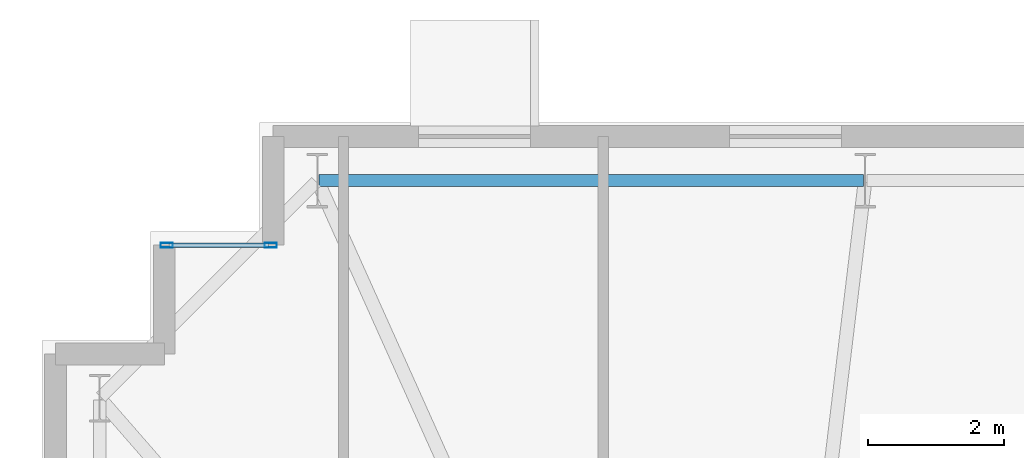
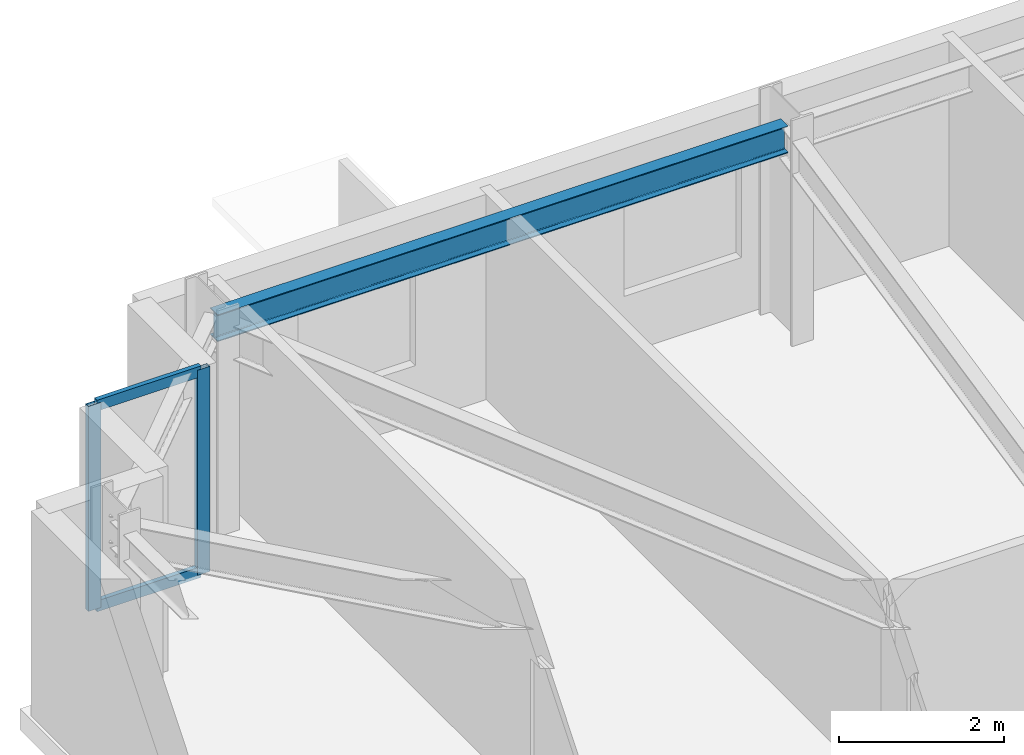
# One storey, part 7 of 18: 4 members, 1 beam, 1 element without a shape of its own.
"""IFC4 building model written with IfcOpenShell, lengths in metres."""

from ifc_helpers import new_model, si_unit, direction, frame, origin, origin_2d, place, context, subcontext, project, spatial, hollow_rectangle, i_section, extrude, material, layer, layer_set, material_profile, profile_set, type_object, element, aggregate, save


model = new_model("IFC4")

# Units and contexts
model_context = context("Model", 3, precision=1e-05, world=origin(), true_north=direction((0.0, 1.0)))
body_context = subcontext(model_context, "Body", "Model", "MODEL_VIEW")
ifc_project = project(units=[si_unit("LENGTHUNIT", "METRE"), si_unit("AREAUNIT", "SQUARE_METRE"), si_unit("VOLUMEUNIT", "CUBIC_METRE"), si_unit("PLANEANGLEUNIT", "RADIAN"), si_unit("MASSUNIT", "GRAM", prefix="KILO")], contexts=[model_context])

# Site, building, storey
site_placement = place(None, origin())
site = spatial("IfcSite", under=ifc_project, at=site_placement, CompositionType="ELEMENT")
building_placement = place(site_placement, origin())
building = spatial("IfcBuilding", under=site, at=building_placement, Name="Qobustan Lattice House", CompositionType="ELEMENT")
storey_placement = place(building_placement, frame((0.0, 0.0, 134.35009765625)))
storey = spatial("IfcBuildingStorey", under=building, at=storey_placement, Name="L37", CompositionType="ELEMENT", Elevation=134.35009765625)

# Beam
ifc_material_1 = material(Name="Steel S355", Category="steel")
ifc_material_profile_1 = material_profile(ifc_material_1, i_section(OverallWidth=0.179931640625, OverallDepth=0.39990234375, WebThickness=0.008544921875, FlangeThickness=0.013427734375, FilletRadius=0.02099609375, at=origin_2d()), Name="IPE400")
ifc_profile_set_1 = profile_set([ifc_material_profile_1], Name="Steel S355")
beam_type = type_object("IfcBeamType", Name="BM-SPD-IPE400", PredefinedType="SPANDREL", material=ifc_profile_set_1)
beam_placement = place(storey_placement, frame((-17.125, 19.75, 2.83984375), z_axis=(-1.0, 0.0, 0.0), x_axis=(0.0, -1.0, 0.0)))
element("IfcBeam", 1, at=beam_placement, inside=storey, type_object=beam_type, Name="L37 perimeter spandrel N6-N7", PredefinedType="SPANDREL", context=body_context, shape_type="SweptSolid", body=[
    extrude(i_section(OverallWidth=0.179931640625, OverallDepth=0.39990234375, WebThickness=0.008544921875, FlangeThickness=0.013427734375, FilletRadius=0.02099609375, at=origin_2d()), origin(), (0.0, 0.0, 1.0), 8.0),
])

# Curtain wall, members
ifc_material_2 = material(Name="Anodised aluminium and low-E glazing", Category="aluminium")
ifc_layer = layer(ifc_material_2, 0.219970703125)
ifc_layer_set = layer_set([ifc_layer], Name="Anodised aluminium and low-E glazing")
curtain_wall_type = type_object("IfcCurtainWallType", Name="CW-FAC-02", PredefinedType="USERDEFINED", material=ifc_layer_set)
curtain_wall_placement = place(storey_placement, origin())
curtain_wall = element("IfcCurtainWall", 2, at=curtain_wall_placement, inside=storey, type_object=curtain_wall_type, Name="L37 serrated corner faceted glazing 8", ObjectType="CURTAIN WALL", PredefinedType="USERDEFINED")
ifc_material_3 = material(Name="Anodised aluminium EN AW-6063 T6", Category="aluminium")
ifc_material_profile_2 = material_profile(ifc_material_3, hollow_rectangle(XDim=0.070068359375, YDim=0.179931640625, WallThickness=0.00439453125, at=origin_2d()), Name="CWM-180x70")
ifc_profile_set_2 = profile_set([ifc_material_profile_2], Name="Anodised aluminium EN AW-6063 T6")
member_type_1 = type_object("IfcMemberType", Name="CWM-STD-180", PredefinedType="MULLION", material=ifc_profile_set_2)
member_1_placement = place(storey_placement, frame((-27.364990234375, 18.800048828125, 0.0), z_axis=(0.0, 0.0, 1.0), x_axis=(0.0, 1.0, 0.0)))
member_1 = element("IfcMember", 3, at=member_1_placement, type_object=member_type_1, Name="CW-F2 mullion 1", PredefinedType="MULLION", context=body_context, shape_type="SweptSolid", body=[
    extrude(hollow_rectangle(XDim=0.070068359375, YDim=0.179931640625, WallThickness=0.00439453125, at=origin_2d()), origin(), (0.0, 0.0, 1.0), 3.039794921875),
])
member_2_placement = place(storey_placement, frame((-25.8349609375, 18.800048828125, 0.0), z_axis=(0.0, 0.0, 1.0), x_axis=(0.0, 1.0, 0.0)))
member_2 = element("IfcMember", 4, at=member_2_placement, type_object=member_type_1, Name="CW-F2 mullion 2", PredefinedType="MULLION", context=body_context, shape_type="SweptSolid", body=[
    extrude(hollow_rectangle(XDim=0.070068359375, YDim=0.179931640625, WallThickness=0.00439453125, at=origin_2d()), origin(), (0.0, 0.0, 1.0), 3.039794921875),
])
ifc_material_4 = material(Name="Anodised aluminium EN AW-6063 T6", Category="aluminium")
ifc_material_profile_3 = material_profile(ifc_material_4, hollow_rectangle(XDim=0.06494140625, YDim=0.159912109375, WallThickness=0.00390625, at=origin_2d()), Name="CWT-160x65")
ifc_profile_set_3 = profile_set([ifc_material_profile_3], Name="Anodised aluminium EN AW-6063 T6")
member_type_2 = type_object("IfcMemberType", Name="CWT-HOR-160", PredefinedType="USERDEFINED", material=ifc_profile_set_3)
member_3_placement = place(storey_placement, frame((-27.330078125, 18.800048828125, 0.032470703125), z_axis=(1.0, 0.0, 0.0), x_axis=(0.0, 1.0, 0.0)))
member_3 = element("IfcMember", 5, at=member_3_placement, type_object=member_type_2, Name="CW-F2 transom 1.1", ObjectType="TRANSOM", PredefinedType="USERDEFINED", context=body_context, shape_type="SweptSolid", body=[
    extrude(hollow_rectangle(XDim=0.06494140625, YDim=0.159912109375, WallThickness=0.00390625, at=origin_2d()), origin(), (0.0, 0.0, 1.0), 1.4599609375),
])
member_4_placement = place(storey_placement, frame((-27.330078125, 18.800048828125, 3.00732421875), z_axis=(1.0, 0.0, 0.0), x_axis=(0.0, 1.0, 0.0)))
member_4 = element("IfcMember", 6, at=member_4_placement, type_object=member_type_2, Name="CW-F2 transom 1.2", ObjectType="TRANSOM", PredefinedType="USERDEFINED", context=body_context, shape_type="SweptSolid", body=[
    extrude(hollow_rectangle(XDim=0.06494140625, YDim=0.159912109375, WallThickness=0.00390625, at=origin_2d()), origin(), (0.0, 0.0, 1.0), 1.4599609375),
])
aggregate(curtain_wall, [member_1, member_2, member_3, member_4])

save(model, "model.ifc")
